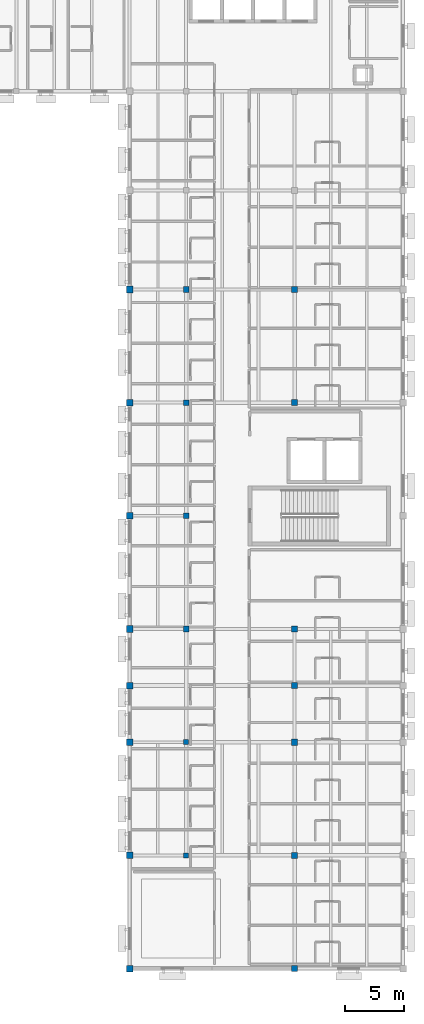
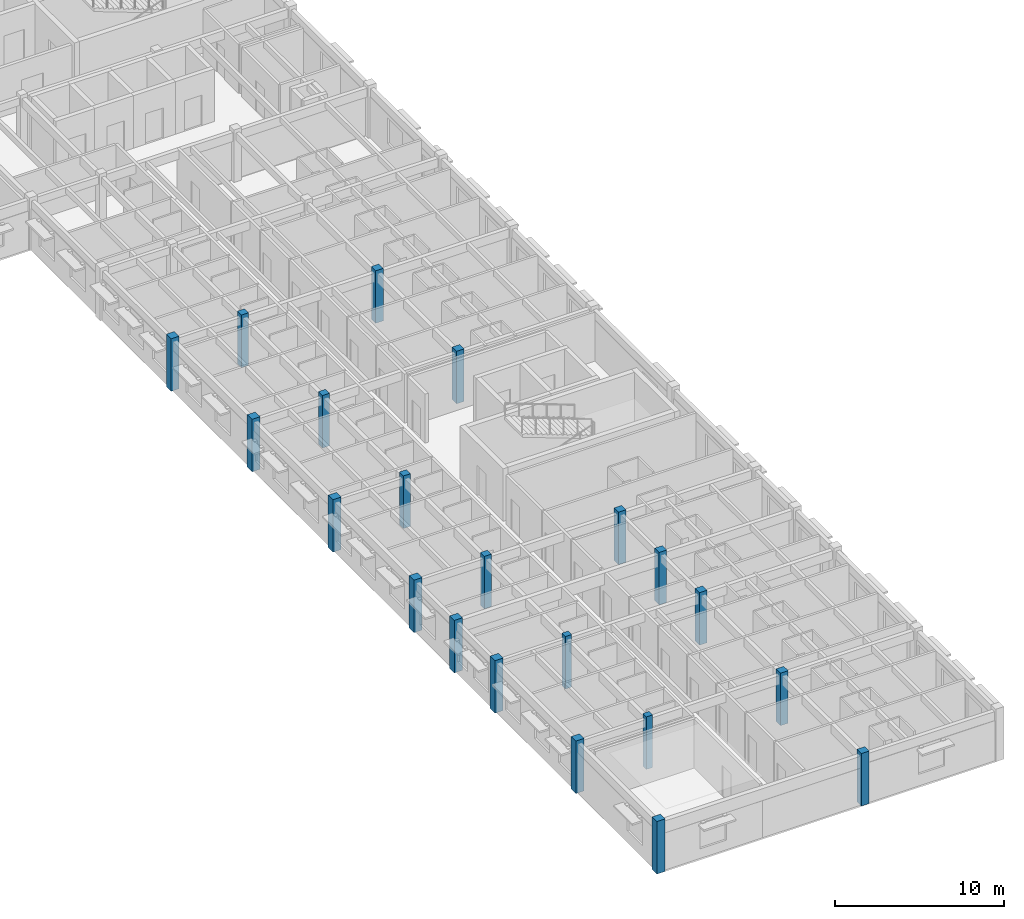
# One storey, part 1 of 31: 21 columns.
"""IFC4 building model written with IfcOpenShell, lengths in metres."""

from ifc_helpers import new_model, si_unit, direction, frame, origin, origin_2d, place, context, subcontext, project, spatial, rectangle, extrude, material, material_profile, profile_set, type_object, element, save


model = new_model("IFC4")

# Units and contexts
model_context = context("Model", 3, precision=1e-05, world=origin(), true_north=direction((0.0, 1.0)))
body_context = subcontext(model_context, "Body", "Model", "MODEL_VIEW")
ifc_project = project(units=[si_unit("LENGTHUNIT", "METRE"), si_unit("AREAUNIT", "SQUARE_METRE"), si_unit("VOLUMEUNIT", "CUBIC_METRE"), si_unit("PLANEANGLEUNIT", "RADIAN"), si_unit("MASSUNIT", "GRAM", prefix="KILO")], contexts=[model_context])

# Site, building, storey
site_placement = place(None, origin())
site = spatial("IfcSite", under=ifc_project, at=site_placement, CompositionType="ELEMENT")
building_placement = place(site_placement, origin())
building = spatial("IfcBuilding", under=site, at=building_placement, Name="Veldera Park Congress Hotel", CompositionType="ELEMENT")
storey_placement = place(building_placement, frame((0.0, 0.0, 20.0)))
storey = spatial("IfcBuildingStorey", under=building, at=storey_placement, Name="L04", CompositionType="ELEMENT", Elevation=20.0)

# Columns
ifc_material = material(Name="Glulam GL28h (NDS 24F-V4)", Category="wood")
ifc_material_profile_1 = material_profile(ifc_material, rectangle(XDim=0.419921875, YDim=0.419921875, at=origin_2d()), Name="GL28h 420x420")
ifc_profile_set_1 = profile_set([ifc_material_profile_1], Name="Glulam GL28h (NDS 24F-V4)")
column_type_1 = type_object("IfcColumnType", Name="COL-GL42", PredefinedType="COLUMN", material=ifc_profile_set_1)
for number, where, z_axis, x_axis, name in (
    (1, (65.60009765625, -37.800048828125, 0.0), (0.0, 0.0, 1.0), (1.0, 0.0, 0.0), "L04 Column COL-GL42 (65.6,-37.8)"),
    (2, (65.60009765625, -28.199951171875, 0.0), (0.0, 0.0, 1.0), (1.0, 0.0, 0.0), "L04 Column COL-GL42 (65.6,-28.2)"),
):
    element("IfcColumn", number, at=place(storey_placement, frame(where, z_axis=z_axis, x_axis=x_axis)), inside=storey, type_object=column_type_1, Name=name, PredefinedType="COLUMN", context=body_context, shape_type="SweptSolid", body=[
        extrude(rectangle(XDim=0.419921875, YDim=0.419921875, at=origin_2d()), origin(), (0.0, 0.0, 1.0), 3.800048828125),
    ])
ifc_material_profile_2 = material_profile(ifc_material, rectangle(XDim=0.47998046875, YDim=0.47998046875, at=origin_2d()), Name="GL28h 480x480")
ifc_profile_set_2 = profile_set([ifc_material_profile_2], Name="Glulam GL28h (NDS 24F-V4)")
column_type_2 = type_object("IfcColumnType", Name="COL-GL48", PredefinedType="COLUMN", material=ifc_profile_set_2)
for number, where, z_axis, x_axis, name in (
    (3, (65.60009765625, -18.60009765625, 0.0), (0.0, 0.0, 1.0), (1.0, 0.0, 0.0), "L04 Column COL-GL48 (65.6,-18.6)"),
    (4, (65.60009765625, -9.0, 0.0), (0.0, 0.0, 1.0), (1.0, 0.0, 0.0), "L04 Column COL-GL48 (65.6,-9.0)"),
    (5, (65.60009765625, 0.60009765625, 0.0), (0.0, 0.0, 1.0), (1.0, 0.0, 0.0), "L04 Column COL-GL48 (65.6,0.6)"),
    (6, (65.60009765625, 10.199951171875, 0.0), (0.0, 0.0, 1.0), (1.0, 0.0, 0.0), "L04 Column COL-GL48 (65.6,10.2)"),
):
    element("IfcColumn", number, at=place(storey_placement, frame(where, z_axis=z_axis, x_axis=x_axis)), inside=storey, type_object=column_type_2, Name=name, PredefinedType="COLUMN", context=body_context, shape_type="SweptSolid", body=[
        extrude(rectangle(XDim=0.47998046875, YDim=0.47998046875, at=origin_2d()), origin(), (0.0, 0.0, 1.0), 3.800048828125),
    ])
ifc_material_profile_3 = material_profile(ifc_material, rectangle(XDim=0.52001953125, YDim=0.52001953125, at=origin_2d()), Name="GL28h 520x520")
ifc_profile_set_3 = profile_set([ifc_material_profile_3], Name="Glulam GL28h (NDS 24F-V4)")
column_type_3 = type_object("IfcColumnType", Name="COL-GL52", PredefinedType="COLUMN", material=ifc_profile_set_3)
for number, where, z_axis, x_axis, name in (
    (7, (74.800048828125, -47.39990234375, 0.0), (0.0, 0.0, 1.0), (1.0, 0.0, 0.0), "L04 Column COL-GL52 (74.8,-47.4)"),
    (8, (74.800048828125, -37.800048828125, 0.0), (0.0, 0.0, 1.0), (1.0, 0.0, 0.0), "L04 Column COL-GL52 (74.8,-37.8)"),
    (9, (74.800048828125, -28.199951171875, 0.0), (0.0, 0.0, 1.0), (1.0, 0.0, 0.0), "L04 Column COL-GL52 (74.8,-28.2)"),
    (10, (74.800048828125, -23.39990234375, 0.0), (0.0, 0.0, 1.0), (1.0, 0.0, 0.0), "L04 Column COL-GL52 (74.8,-23.4)"),
    (11, (74.800048828125, -18.60009765625, 0.0), (0.0, 0.0, 1.0), (1.0, 0.0, 0.0), "L04 Column COL-GL52 (74.8,-18.6)"),
    (12, (74.800048828125, 0.60009765625, 0.0), (0.0, 0.0, 1.0), (1.0, 0.0, 0.0), "L04 Column COL-GL52 (74.8,0.6)"),
    (13, (74.800048828125, 10.199951171875, 0.0), (0.0, 0.0, 1.0), (1.0, 0.0, 0.0), "L04 Column COL-GL52 (74.8,10.2)"),
):
    element("IfcColumn", number, at=place(storey_placement, frame(where, z_axis=z_axis, x_axis=x_axis)), inside=storey, type_object=column_type_3, Name=name, PredefinedType="COLUMN", context=body_context, shape_type="SweptSolid", body=[
        extrude(rectangle(XDim=0.52001953125, YDim=0.52001953125, at=origin_2d()), origin(), (0.0, 0.0, 1.0), 3.800048828125),
    ])
ifc_material_profile_4 = material_profile(ifc_material, rectangle(XDim=0.56005859375, YDim=0.56005859375, at=origin_2d()), Name="GL28h 560x560")
ifc_profile_set_4 = profile_set([ifc_material_profile_4], Name="Glulam GL28h (NDS 24F-V4)")
column_type_4 = type_object("IfcColumnType", Name="COL-GL52E", PredefinedType="COLUMN", material=ifc_profile_set_4)
for number, where, z_axis, x_axis, name in (
    (14, (60.800048828125, -47.39990234375, 0.0), (0.0, 0.0, 1.0), (1.0, 0.0, 0.0), "L04 Column COL-GL52E (60.8,-47.4)"),
    (15, (60.800048828125, -37.800048828125, 0.0), (0.0, 0.0, 1.0), (1.0, 0.0, 0.0), "L04 Column COL-GL52E (60.8,-37.8)"),
    (16, (60.800048828125, -28.199951171875, 0.0), (0.0, 0.0, 1.0), (1.0, 0.0, 0.0), "L04 Column COL-GL52E (60.8,-28.2)"),
    (17, (60.800048828125, -23.39990234375, 0.0), (0.0, 0.0, 1.0), (1.0, 0.0, 0.0), "L04 Column COL-GL52E (60.8,-23.4)"),
    (18, (60.800048828125, -18.60009765625, 0.0), (0.0, 0.0, 1.0), (1.0, 0.0, 0.0), "L04 Column COL-GL52E (60.8,-18.6)"),
    (19, (60.800048828125, -9.0, 0.0), (0.0, 0.0, 1.0), (1.0, 0.0, 0.0), "L04 Column COL-GL52E (60.8,-9.0)"),
    (20, (60.800048828125, 0.60009765625, 0.0), (0.0, 0.0, 1.0), (1.0, 0.0, 0.0), "L04 Column COL-GL52E (60.8,0.6)"),
    (21, (60.800048828125, 10.199951171875, 0.0), (0.0, 0.0, 1.0), (1.0, 0.0, 0.0), "L04 Column COL-GL52E (60.8,10.2)"),
):
    element("IfcColumn", number, at=place(storey_placement, frame(where, z_axis=z_axis, x_axis=x_axis)), inside=storey, type_object=column_type_4, Name=name, PredefinedType="COLUMN", context=body_context, shape_type="SweptSolid", body=[
        extrude(rectangle(XDim=0.56005859375, YDim=0.56005859375, at=origin_2d()), origin(), (0.0, 0.0, 1.0), 3.800048828125),
    ])

save(model, "model.ifc")
